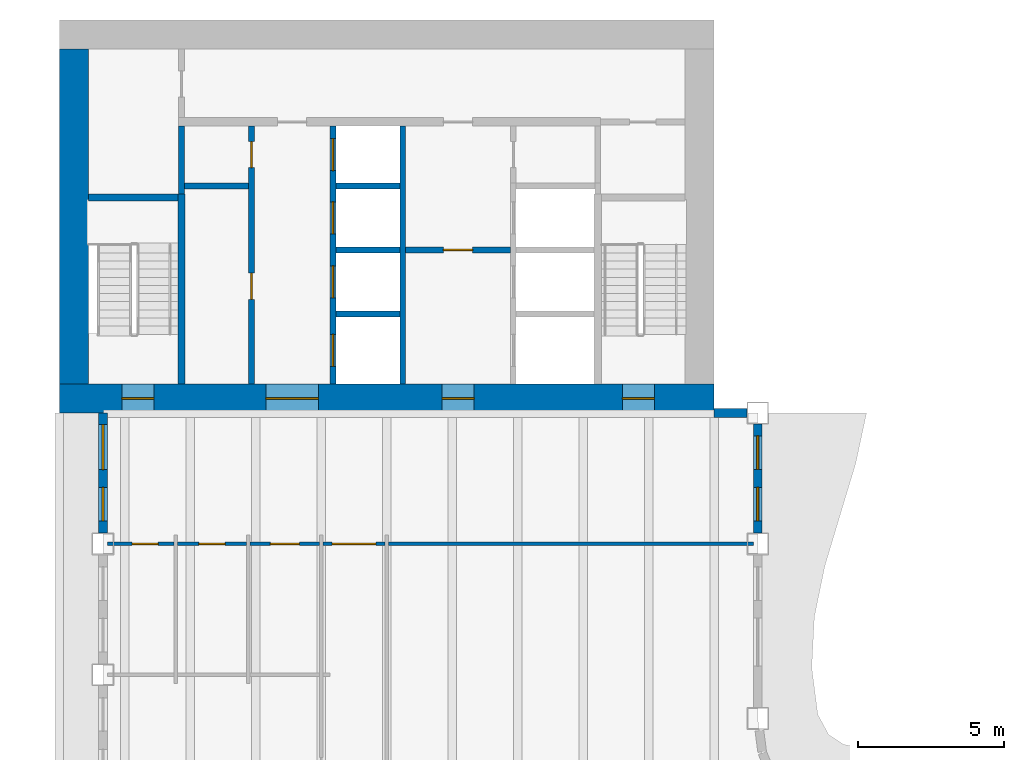
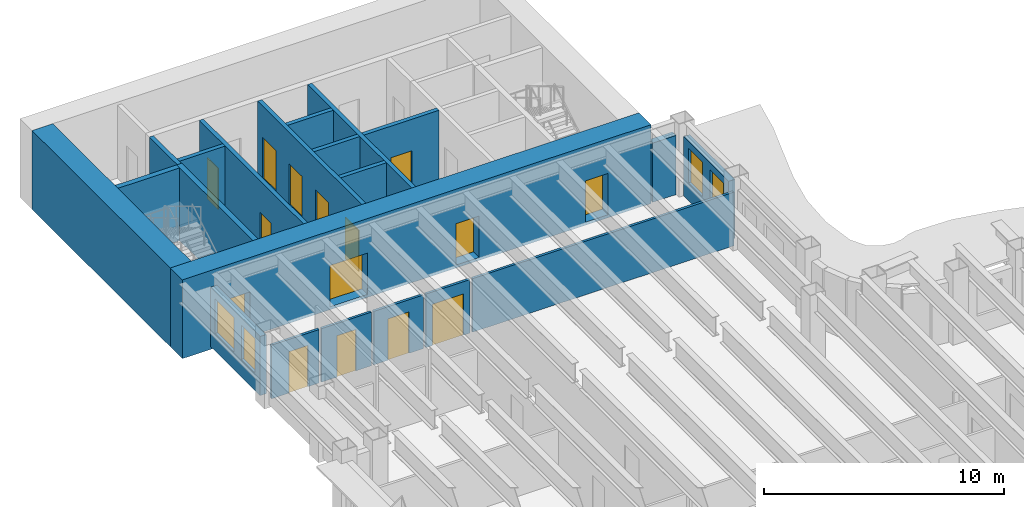
# One storey, part 8 of 16: 21 walls, 15 doors, 4 windows, 19 openings.
"""IFC4 building model written with IfcOpenShell, lengths in metres."""

from ifc_helpers import new_model, si_unit, direction, frame, frame_2d, origin, place, context, subcontext, project, spatial, rectangle, extrude, material, layer, layer_set, type_object, element, fill, save


model = new_model("IFC4")

# Units and contexts
model_context = context("Model", 3, precision=1e-05, world=origin(), true_north=direction((0.0, 1.0)))
body_context = subcontext(model_context, "Body", "Model", "MODEL_VIEW")
ifc_project = project(units=[si_unit("LENGTHUNIT", "METRE"), si_unit("AREAUNIT", "SQUARE_METRE"), si_unit("VOLUMEUNIT", "CUBIC_METRE"), si_unit("PLANEANGLEUNIT", "RADIAN"), si_unit("MASSUNIT", "GRAM", prefix="KILO")], contexts=[model_context])

# Site, building, storey
site_placement = place(None, origin())
site = spatial("IfcSite", under=ifc_project, at=site_placement, CompositionType="ELEMENT")
building_placement = place(site_placement, origin())
building = spatial("IfcBuilding", under=site, at=building_placement, Name="Sennacour Bend Tower", CompositionType="ELEMENT")
storey_placement = place(building_placement, frame((0.0, 0.0, 239.0)))
storey = spatial("IfcBuildingStorey", under=building, at=storey_placement, Name="L55", CompositionType="ELEMENT", Elevation=239.0)

# Wall, openings, doors
ifc_material_1 = material(Name="Concrete C60/75", Category="concrete")
ifc_layer_1 = layer(ifc_material_1, 1.0, Name="Concrete C60/75", Category="concrete")
ifc_layer_set_1 = layer_set([ifc_layer_1], Name="Concrete C60/75")
wall_type_1 = type_object("IfcWallType", Name="Core wall 1000 C60/75", PredefinedType="SHEAR", material=ifc_layer_set_1)
wall_1_placement = place(storey_placement, frame((0.0, 36.5, -0.14990234375), z_axis=(0.0, 0.0, 1.0), x_axis=(1.0, 0.0, 0.0)))
wall_1 = element("IfcWall", 1, at=wall_1_placement, inside=storey, type_object=wall_type_1, Name="Core B wall L55 S", PredefinedType="SHEAR", context=body_context, shape_type="SweptSolid", body=[
    extrude(rectangle(XDim=22.5, YDim=1.0, at=frame_2d((11.25, 0.0))), origin(), (0.0, 0.0, 1.0), 4.0),
])
opening_1_placement = place(wall_1_placement, frame((7.10009765625, 0.0, 0.14990234375)))
opening_1 = element("IfcOpeningElement", 2, at=opening_1_placement, cuts=wall_1, Name="Opening CD", PredefinedType="OPENING", context=body_context, shape_type="SweptSolid", body=[
    extrude(rectangle(XDim=1.800048828125, YDim=2.10009765625, at=frame_2d((0.89990234375, 1.050048828125))), frame((0.0, 0.510009765625, 0.0), z_axis=(0.0, -1.0, 0.0), x_axis=(1.0, 0.0, 0.0)), (0.0, 0.0, 1.0), 1.02001953125),
])
opening_2_placement = place(wall_1_placement, frame((13.14990234375, 0.0, 0.14990234375)))
opening_2 = element("IfcOpeningElement", 3, at=opening_2_placement, cuts=wall_1, Name="Opening FD", PredefinedType="OPENING", context=body_context, shape_type="SweptSolid", body=[
    extrude(rectangle(XDim=1.10009765625, YDim=2.10009765625, at=frame_2d((0.550048828125, 1.050048828125))), frame((0.0, 0.510009765625, 0.0), z_axis=(0.0, -1.0, 0.0), x_axis=(1.0, 0.0, 0.0)), (0.0, 0.0, 1.0), 1.02001953125),
])
opening_3_placement = place(wall_1_placement, frame((2.14990234375, 0.0, 0.14990234375)))
opening_3 = element("IfcOpeningElement", 4, at=opening_3_placement, cuts=wall_1, Name="Opening SD", PredefinedType="OPENING", context=body_context, shape_type="SweptSolid", body=[
    extrude(rectangle(XDim=1.10009765625, YDim=2.10009765625, at=frame_2d((0.550048828125, 1.050048828125))), frame((0.0, 0.510009765625, 0.0), z_axis=(0.0, -1.0, 0.0), x_axis=(1.0, 0.0, 0.0)), (0.0, 0.0, 1.0), 1.02001953125),
])
opening_4_placement = place(wall_1_placement, frame((19.35009765625, 0.0, 0.14990234375)))
opening_4 = element("IfcOpeningElement", 5, at=opening_4_placement, cuts=wall_1, Name="Opening SD", PredefinedType="OPENING", context=body_context, shape_type="SweptSolid", body=[
    extrude(rectangle(XDim=1.10009765625, YDim=2.10009765625, at=frame_2d((0.550048828125, 1.050048828125))), frame((0.0, 0.510009765625, 0.0), z_axis=(0.0, -1.0, 0.0), x_axis=(1.0, 0.0, 0.0)), (0.0, 0.0, 1.0), 1.02001953125),
])
ifc_material_2 = material(Name="Painted steel", Category="steel")
door_type_1 = type_object("IfcDoorType", Name="DR-FFL-1100", OperationType="NOTDEFINED", PredefinedType="DOOR", material=ifc_material_2)
door_1_placement = place(opening_2_placement, origin())
door_1 = element("IfcDoor", 6, at=door_1_placement, inside=storey, type_object=door_type_1, Name="Door", OperationType="SINGLE_SWING_RIGHT", OverallHeight=2.10009765625, OverallWidth=1.10009765625, PredefinedType="DOOR", context=body_context, shape_type="SweptSolid", body=[
    extrude(rectangle(XDim=1.10009765625, YDim=2.10009765625, at=frame_2d((0.550048828125, 1.050048828125))), frame((0.0, 0.02490234375, 0.0), z_axis=(0.0, -1.0, 0.0), x_axis=(1.0, 0.0, 0.0)), (0.0, 0.0, 1.0), 0.050048828125),
])
fill(opening_2, door_1)
door_type_2 = type_object("IfcDoorType", Name="DR-LOBBY-1800", OperationType="NOTDEFINED", PredefinedType="DOOR", material=ifc_material_2)
door_2_placement = place(opening_1_placement, origin())
door_2 = element("IfcDoor", 7, at=door_2_placement, inside=storey, type_object=door_type_2, Name="Door", OperationType="DOUBLE_DOOR_SINGLE_SWING", OverallHeight=2.10009765625, OverallWidth=1.800048828125, PredefinedType="DOOR", context=body_context, shape_type="SweptSolid", body=[
    extrude(rectangle(XDim=1.800048828125, YDim=2.10009765625, at=frame_2d((0.89990234375, 1.050048828125))), frame((0.0, 0.02490234375, 0.0), z_axis=(0.0, -1.0, 0.0), x_axis=(1.0, 0.0, 0.0)), (0.0, 0.0, 1.0), 0.050048828125),
])
fill(opening_1, door_2)
door_type_3 = type_object("IfcDoorType", Name="DR-STAIR-1100", OperationType="NOTDEFINED", PredefinedType="DOOR", material=ifc_material_2)
door_3_placement = place(opening_3_placement, origin())
door_3 = element("IfcDoor", 8, at=door_3_placement, inside=storey, type_object=door_type_3, Name="Door", OperationType="SINGLE_SWING_LEFT", OverallHeight=2.10009765625, OverallWidth=1.10009765625, PredefinedType="DOOR", context=body_context, shape_type="SweptSolid", body=[
    extrude(rectangle(XDim=1.10009765625, YDim=2.10009765625, at=frame_2d((0.550048828125, 1.050048828125))), frame((0.0, 0.02490234375, 0.0), z_axis=(0.0, -1.0, 0.0), x_axis=(1.0, 0.0, 0.0)), (0.0, 0.0, 1.0), 0.050048828125),
])
fill(opening_3, door_3)
door_4_placement = place(opening_4_placement, origin())
door_4 = element("IfcDoor", 9, at=door_4_placement, inside=storey, type_object=door_type_3, Name="Door", OperationType="SINGLE_SWING_RIGHT", OverallHeight=2.10009765625, OverallWidth=1.10009765625, PredefinedType="DOOR", context=body_context, shape_type="SweptSolid", body=[
    extrude(rectangle(XDim=1.10009765625, YDim=2.10009765625, at=frame_2d((0.550048828125, 1.050048828125))), frame((0.0, 0.02490234375, 0.0), z_axis=(0.0, -1.0, 0.0), x_axis=(1.0, 0.0, 0.0)), (0.0, 0.0, 1.0), 0.050048828125),
])
fill(opening_4, door_4)

# Wall
wall_2_placement = place(storey_placement, frame((0.5, 37.0, -0.14990234375), z_axis=(0.0, 0.0, 1.0), x_axis=(0.0, 1.0, 0.0)))
element("IfcWall", 10, at=wall_2_placement, inside=storey, type_object=wall_type_1, Name="Core B wall L55 W", PredefinedType="SHEAR", context=body_context, shape_type="SweptSolid", body=[
    extrude(rectangle(XDim=11.5, YDim=1.0, at=frame_2d((5.75, 0.0))), origin(), (0.0, 0.0, 1.0), 4.0),
])

# Wall, opening, door
ifc_material_3 = material(Name="Plasterboard partition on steel studs", Category="steel")
ifc_layer_2 = layer(ifc_material_3, 0.1201171875, Name="Plasterboard partition on steel studs", Category="steel")
ifc_layer_set_2 = layer_set([ifc_layer_2], Name="Plasterboard partition on steel studs")
wall_type_2 = type_object("IfcWallType", Name="Partition 120", PredefinedType="PARTITIONING", material=ifc_layer_set_2)
wall_3_placement = place(storey_placement, frame((1.64990234375, 31.5, 0.0), z_axis=(0.0, 0.0, 1.0), x_axis=(1.0, 0.0, 0.0)))
wall_3 = element("IfcWall", 11, at=wall_3_placement, inside=storey, type_object=wall_type_2, Name="P-L55-W076aa", PredefinedType="PARTITIONING", context=body_context, shape_type="SweptSolid", body=[
    extrude(rectangle(XDim=2.2900390625, YDim=0.1201171875, at=frame_2d((1.14501953125, 0.0))), origin(), (0.0, 0.0, 1.0), 2.719970703125),
])
opening_5_placement = place(wall_3_placement, frame((0.85009765625, 0.0, 0.0)))
opening_5 = element("IfcOpeningElement", 12, at=opening_5_placement, cuts=wall_3, Name="Opening WD", PredefinedType="OPENING", context=body_context, shape_type="SweptSolid", body=[
    extrude(rectangle(XDim=0.89990234375, YDim=2.10009765625, at=frame_2d((0.449951171875, 1.050048828125))), frame((0.0, 0.070068359375, 0.0), z_axis=(0.0, -1.0, 0.0), x_axis=(1.0, 0.0, 0.0)), (0.0, 0.0, 1.0), 0.14013671875),
])
ifc_material_4 = material(Name="Timber", Category="wood")
door_type_4 = type_object("IfcDoorType", Name="DR-WC-900", OperationType="NOTDEFINED", PredefinedType="DOOR", material=ifc_material_4)
door_5_placement = place(opening_5_placement, origin())
door_5 = element("IfcDoor", 13, at=door_5_placement, inside=storey, type_object=door_type_4, Name="Door", OperationType="SINGLE_SWING_RIGHT", OverallHeight=2.10009765625, OverallWidth=0.89990234375, PredefinedType="DOOR", context=body_context, shape_type="SweptSolid", body=[
    extrude(rectangle(XDim=0.89990234375, YDim=2.10009765625, at=frame_2d((0.449951171875, 1.050048828125))), frame((0.0, 0.02490234375, 0.0), z_axis=(0.0, -1.0, 0.0), x_axis=(1.0, 0.0, 0.0)), (0.0, 0.0, 1.0), 0.050048828125),
])
fill(opening_5, door_5)

wall_4_placement = place(storey_placement, frame((4.06005859375, 31.5, 0.0), z_axis=(0.0, 0.0, 1.0), x_axis=(1.0, 0.0, 0.0)))
wall_4 = element("IfcWall", 14, at=wall_4_placement, inside=storey, type_object=wall_type_2, Name="P-L55-W076ab", PredefinedType="PARTITIONING", context=body_context, shape_type="SweptSolid", body=[
    extrude(rectangle(XDim=2.3798828125, YDim=0.1201171875, at=frame_2d((1.18994140625, 0.0))), origin(), (0.0, 0.0, 1.0), 2.719970703125),
])
opening_6_placement = place(wall_4_placement, frame((0.739990234375, 0.0, 0.0)))
opening_6 = element("IfcOpeningElement", 15, at=opening_6_placement, cuts=wall_4, Name="Opening WD", PredefinedType="OPENING", context=body_context, shape_type="SweptSolid", body=[
    extrude(rectangle(XDim=0.89990234375, YDim=2.10009765625, at=frame_2d((0.449951171875, 1.050048828125))), frame((0.0, 0.070068359375, 0.0), z_axis=(0.0, -1.0, 0.0), x_axis=(1.0, 0.0, 0.0)), (0.0, 0.0, 1.0), 0.14013671875),
])
door_6_placement = place(opening_6_placement, origin())
door_6 = element("IfcDoor", 16, at=door_6_placement, inside=storey, type_object=door_type_4, Name="Door", OperationType="SINGLE_SWING_LEFT", OverallHeight=2.10009765625, OverallWidth=0.89990234375, PredefinedType="DOOR", context=body_context, shape_type="SweptSolid", body=[
    extrude(rectangle(XDim=0.89990234375, YDim=2.10009765625, at=frame_2d((0.449951171875, 1.050048828125))), frame((0.0, 0.02490234375, 0.0), z_axis=(0.0, -1.0, 0.0), x_axis=(1.0, 0.0, 0.0)), (0.0, 0.0, 1.0), 0.050048828125),
])
fill(opening_6, door_6)

wall_5_placement = place(storey_placement, frame((6.56005859375, 31.5, 0.0), z_axis=(0.0, 0.0, 1.0), x_axis=(1.0, 0.0, 0.0)))
wall_5 = element("IfcWall", 17, at=wall_5_placement, inside=storey, type_object=wall_type_2, Name="P-L55-W076ac", PredefinedType="PARTITIONING", context=body_context, shape_type="SweptSolid", body=[
    extrude(rectangle(XDim=2.3798828125, YDim=0.1201171875, at=frame_2d((1.18994140625, 0.0))), origin(), (0.0, 0.0, 1.0), 2.719970703125),
])
opening_7_placement = place(wall_5_placement, frame((0.68994140625, 0.0, 0.0)))
opening_7 = element("IfcOpeningElement", 18, at=opening_7_placement, cuts=wall_5, Name="Opening AD", PredefinedType="OPENING", context=body_context, shape_type="SweptSolid", body=[
    extrude(rectangle(XDim=1.0, YDim=2.10009765625, at=frame_2d((0.5, 1.050048828125))), frame((0.0, 0.070068359375, 0.0), z_axis=(0.0, -1.0, 0.0), x_axis=(1.0, 0.0, 0.0)), (0.0, 0.0, 1.0), 0.14013671875),
])
door_type_5 = type_object("IfcDoorType", Name="DR-ACC-WC-1000", OperationType="NOTDEFINED", PredefinedType="DOOR", material=ifc_material_4)
door_7_placement = place(opening_7_placement, origin())
door_7 = element("IfcDoor", 19, at=door_7_placement, inside=storey, type_object=door_type_5, Name="Door", OperationType="SINGLE_SWING_LEFT", OverallHeight=2.10009765625, OverallWidth=1.0, PredefinedType="DOOR", context=body_context, shape_type="SweptSolid", body=[
    extrude(rectangle(XDim=1.0, YDim=2.10009765625, at=frame_2d((0.5, 1.050048828125))), frame((0.0, 0.02490234375, 0.0), z_axis=(0.0, -1.0, 0.0), x_axis=(1.0, 0.0, 0.0)), (0.0, 0.0, 1.0), 0.050048828125),
])
fill(opening_7, door_7)

# Wall
wall_6_placement = place(storey_placement, frame((11.31005859375, 31.5, 0.0), z_axis=(0.0, 0.0, 1.0), x_axis=(1.0, 0.0, 0.0)))
element("IfcWall", 20, at=wall_6_placement, inside=storey, type_object=wall_type_2, Name="P-L55-W076ae", PredefinedType="PARTITIONING", context=body_context, shape_type="SweptSolid", body=[
    extrude(rectangle(XDim=12.5400390625, YDim=0.1201171875, at=frame_2d((6.27001953125, 0.0))), origin(), (0.0, 0.0, 1.0), 2.719970703125),
])

# Wall, opening, door
ifc_layer_3 = layer(ifc_material_3, 0.1201171875, Name="Plasterboard partition on steel studs", Category="steel")
ifc_layer_set_3 = layer_set([ifc_layer_3], Name="Plasterboard partition on steel studs")
wall_type_3 = type_object("IfcWallType", Name="Partition 120 EI 30", PredefinedType="PARTITIONING", material=ifc_layer_set_3)
wall_7_placement = place(storey_placement, frame((9.06005859375, 31.5, 0.0), z_axis=(0.0, 0.0, 1.0), x_axis=(1.0, 0.0, 0.0)))
wall_7 = element("IfcWall", 21, at=wall_7_placement, inside=storey, type_object=wall_type_3, Name="P-L55-W076ad", PredefinedType="PARTITIONING", context=body_context, shape_type="SweptSolid", body=[
    extrude(rectangle(XDim=2.1298828125, YDim=0.1201171875, at=frame_2d((1.06494140625, 0.0))), origin(), (0.0, 0.0, 1.0), 2.719970703125),
])
opening_8_placement = place(wall_7_placement, frame((0.31494140625, 0.0, 0.0)))
opening_8 = element("IfcOpeningElement", 22, at=opening_8_placement, cuts=wall_7, Name="Opening KD", PredefinedType="OPENING", context=body_context, shape_type="SweptSolid", body=[
    extrude(rectangle(XDim=1.5, YDim=2.10009765625, at=frame_2d((0.75, 1.050048828125))), frame((0.0, 0.070068359375, 0.0), z_axis=(0.0, -1.0, 0.0), x_axis=(1.0, 0.0, 0.0)), (0.0, 0.0, 1.0), 0.14013671875),
])
door_type_6 = type_object("IfcDoorType", Name="DR-CORRIDOR-1500", OperationType="NOTDEFINED", PredefinedType="DOOR", material=ifc_material_2)
door_8_placement = place(opening_8_placement, origin())
door_8 = element("IfcDoor", 23, at=door_8_placement, inside=storey, type_object=door_type_6, Name="Door", OperationType="SINGLE_SWING_LEFT", OverallHeight=2.10009765625, OverallWidth=1.5, PredefinedType="DOOR", context=body_context, shape_type="SweptSolid", body=[
    extrude(rectangle(XDim=1.5, YDim=2.10009765625, at=frame_2d((0.75, 1.050048828125))), frame((0.0, 0.02490234375, 0.0), z_axis=(0.0, -1.0, 0.0), x_axis=(1.0, 0.0, 0.0)), (0.0, 0.0, 1.0), 0.050048828125),
])
fill(opening_8, door_8)

# Wall
ifc_material_5 = material(Name="Fire-rated plasterboard partition on steel studs", Category="steel")
ifc_layer_4 = layer(ifc_material_5, 0.199951171875, Name="Fire-rated plasterboard partition on steel studs", Category="steel")
ifc_layer_set_4 = layer_set([ifc_layer_4], Name="Fire-rated plasterboard partition on steel studs")
wall_type_4 = type_object("IfcWallType", Name="Rated partition 200", PredefinedType="PARTITIONING", material=ifc_layer_set_4)
wall_8_placement = place(storey_placement, frame((4.199951171875, 43.52490234375, 0.0), z_axis=(0.0, 0.0, 1.0), x_axis=(0.0, 1.0, 0.0)))
element("IfcWall", 24, at=wall_8_placement, inside=storey, type_object=wall_type_4, Name="P-L55-W006a", PredefinedType="PARTITIONING", context=body_context, shape_type="SweptSolid", body=[
    extrude(rectangle(XDim=2.3251953125, YDim=0.199951171875, at=frame_2d((1.16259765625, 0.0))), origin(), (0.0, 0.0, 1.0), 3.699951171875),
])

# Wall, openings, doors
wall_9_placement = place(storey_placement, frame((6.60009765625, 37.0, 0.0), z_axis=(0.0, 0.0, 1.0), x_axis=(0.0, 1.0, 0.0)))
wall_9 = element("IfcWall", 25, at=wall_9_placement, inside=storey, type_object=wall_type_4, Name="P-L55-W008", PredefinedType="PARTITIONING", context=body_context, shape_type="SweptSolid", body=[
    extrude(rectangle(XDim=8.85009765625, YDim=0.199951171875, at=frame_2d((4.425048828125, 0.0))), origin(), (0.0, 0.0, 1.0), 3.699951171875),
])
opening_9_placement = place(wall_9_placement, frame((2.89990234375, 0.0, 0.0)))
opening_9 = element("IfcOpeningElement", 26, at=opening_9_placement, cuts=wall_9, Name="Opening SV", PredefinedType="OPENING", context=body_context, shape_type="SweptSolid", body=[
    extrude(rectangle(XDim=0.89990234375, YDim=2.10009765625, at=frame_2d((0.449951171875, 1.050048828125))), frame((0.0, 0.10986328125, 0.0), z_axis=(0.0, -1.0, 0.0), x_axis=(1.0, 0.0, 0.0)), (0.0, 0.0, 1.0), 0.219970703125),
])
opening_10_placement = place(wall_9_placement, frame((7.425048828125, 0.0, 0.0)))
opening_10 = element("IfcOpeningElement", 27, at=opening_10_placement, cuts=wall_9, Name="Opening SV", PredefinedType="OPENING", context=body_context, shape_type="SweptSolid", body=[
    extrude(rectangle(XDim=0.89990234375, YDim=2.10009765625, at=frame_2d((0.449951171875, 1.050048828125))), frame((0.0, 0.10986328125, 0.0), z_axis=(0.0, -1.0, 0.0), x_axis=(1.0, 0.0, 0.0)), (0.0, 0.0, 1.0), 0.219970703125),
])
door_type_7 = type_object("IfcDoorType", Name="DR-SERVICE-900", OperationType="NOTDEFINED", PredefinedType="DOOR", material=ifc_material_2)
door_9_placement = place(opening_9_placement, origin())
door_9 = element("IfcDoor", 28, at=door_9_placement, inside=storey, type_object=door_type_7, Name="Door", OperationType="SINGLE_SWING_LEFT", OverallHeight=2.10009765625, OverallWidth=0.89990234375, PredefinedType="DOOR", context=body_context, shape_type="SweptSolid", body=[
    extrude(rectangle(XDim=0.89990234375, YDim=2.10009765625, at=frame_2d((0.449951171875, 1.050048828125))), frame((0.0, 0.02490234375, 0.0), z_axis=(0.0, -1.0, 0.0), x_axis=(1.0, 0.0, 0.0)), (0.0, 0.0, 1.0), 0.050048828125),
])
fill(opening_9, door_9)
door_10_placement = place(opening_10_placement, origin())
door_10 = element("IfcDoor", 29, at=door_10_placement, inside=storey, type_object=door_type_7, Name="Door", OperationType="SINGLE_SWING_RIGHT", OverallHeight=2.10009765625, OverallWidth=0.89990234375, PredefinedType="DOOR", context=body_context, shape_type="SweptSolid", body=[
    extrude(rectangle(XDim=0.89990234375, YDim=2.10009765625, at=frame_2d((0.449951171875, 1.050048828125))), frame((0.0, 0.02490234375, 0.0), z_axis=(0.0, -1.0, 0.0), x_axis=(1.0, 0.0, 0.0)), (0.0, 0.0, 1.0), 0.050048828125),
])
fill(opening_10, door_10)

# Wall
wall_10_placement = place(storey_placement, frame((4.300048828125, 43.800048828125, 0.0), z_axis=(0.0, 0.0, 1.0), x_axis=(1.0, 0.0, 0.0)))
element("IfcWall", 30, at=wall_10_placement, inside=storey, type_object=wall_type_4, Name="P-L55-W085", PredefinedType="PARTITIONING", context=body_context, shape_type="SweptSolid", body=[
    extrude(rectangle(XDim=2.199951171875, YDim=0.199951171875, at=frame_2d((1.10009765625, 0.0))), origin(), (0.0, 0.0, 1.0), 3.699951171875),
])

# Wall, opening, door
ifc_layer_5 = layer(ifc_material_5, 0.199951171875, Name="Fire-rated plasterboard partition on steel studs", Category="steel")
ifc_layer_set_5 = layer_set([ifc_layer_5], Name="Fire-rated plasterboard partition on steel studs")
wall_type_5 = type_object("IfcWallType", Name="Rated partition 200 EI 90", PredefinedType="PARTITIONING", material=ifc_layer_set_5)
wall_11_placement = place(storey_placement, frame((11.89990234375, 41.60009765625, 0.0), z_axis=(0.0, 0.0, 1.0), x_axis=(1.0, 0.0, 0.0)))
wall_11 = element("IfcWall", 31, at=wall_11_placement, inside=storey, type_object=wall_type_5, Name="P-L55-W081", PredefinedType="PARTITIONING", context=body_context, shape_type="SweptSolid", body=[
    extrude(rectangle(XDim=3.60009765625, YDim=0.199951171875, at=frame_2d((1.800048828125, 0.0))), origin(), (0.0, 0.0, 1.0), 3.699951171875),
])
opening_11_placement = place(wall_11_placement, frame((1.300048828125, 0.0, 0.0)))
opening_11 = element("IfcOpeningElement", 32, at=opening_11_placement, cuts=wall_11, Name="Opening FD2", PredefinedType="OPENING", context=body_context, shape_type="SweptSolid", body=[
    extrude(rectangle(XDim=1.0, YDim=2.10009765625, at=frame_2d((0.5, 1.050048828125))), frame((0.0, 0.10986328125, 0.0), z_axis=(0.0, -1.0, 0.0), x_axis=(1.0, 0.0, 0.0)), (0.0, 0.0, 1.0), 0.219970703125),
])
door_type_8 = type_object("IfcDoorType", Name="DR-FFL-1000", OperationType="NOTDEFINED", PredefinedType="DOOR", material=ifc_material_2)
door_11_placement = place(opening_11_placement, origin())
door_11 = element("IfcDoor", 33, at=door_11_placement, inside=storey, type_object=door_type_8, Name="Door", OperationType="SINGLE_SWING_RIGHT", OverallHeight=2.10009765625, OverallWidth=1.0, PredefinedType="DOOR", context=body_context, shape_type="SweptSolid", body=[
    extrude(rectangle(XDim=1.0, YDim=2.10009765625, at=frame_2d((0.5, 1.050048828125))), frame((0.0, 0.02490234375, 0.0), z_axis=(0.0, -1.0, 0.0), x_axis=(1.0, 0.0, 0.0)), (0.0, 0.0, 1.0), 0.050048828125),
])
fill(opening_11, door_11)

# Wall, openings, windows
ifc_material_6 = material(Name="Warm limestone cladding", Category="masonry")
ifc_layer_6 = layer(ifc_material_6, 0.050048828125, Name="Warm limestone cladding", Category="masonry")
ifc_material_7 = material(Name="Precast concrete C40/50", Category="concrete")
ifc_layer_7 = layer(ifc_material_7, 0.25, Name="Precast concrete C40/50", Category="concrete")
ifc_layer_set_6 = layer_set([ifc_layer_6, ifc_layer_7], Name="Precast concrete C40/50 with limestone cladding")
wall_type_6 = type_object("IfcWallType", Name="STONE-CLAD PRECAST SPANDREL 300", PredefinedType="STANDARD", material=ifc_layer_set_6)
wall_12_placement = place(storey_placement, frame((24.0, 31.875, 0.0), z_axis=(0.0, 0.0, 1.0), x_axis=(0.0, 1.0, 0.0)))
wall_12 = element("IfcWall", 34, at=wall_12_placement, inside=storey, type_object=wall_type_6, Name="Stone spandrel and pier wall L55 13.01", PredefinedType="STANDARD", context=body_context, shape_type="SweptSolid", body=[
    extrude(rectangle(XDim=3.75, YDim=0.300048828125, at=frame_2d((1.875, 0.0))), origin(), (0.0, 0.0, 1.0), 3.007080078125),
])
opening_12_placement = place(wall_12_placement, frame((0.41259765625, 0.0, 0.89990234375)))
opening_12 = element("IfcOpeningElement", 35, at=opening_12_placement, cuts=wall_12, Name="Opening W23", PredefinedType="OPENING", context=body_context, shape_type="SweptSolid", body=[
    extrude(rectangle(XDim=1.14990234375, YDim=1.75, at=frame_2d((0.574951171875, 0.875))), frame((0.0, 0.16015625, 0.0), z_axis=(0.0, -1.0, 0.0), x_axis=(1.0, 0.0, 0.0)), (0.0, 0.0, 1.0), 0.320068359375),
])
opening_13_placement = place(wall_12_placement, frame((2.1875, 0.0, 0.89990234375)))
opening_13 = element("IfcOpeningElement", 36, at=opening_13_placement, cuts=wall_12, Name="Opening W23", PredefinedType="OPENING", context=body_context, shape_type="SweptSolid", body=[
    extrude(rectangle(XDim=1.14990234375, YDim=1.75, at=frame_2d((0.574951171875, 0.875))), frame((0.0, 0.16015625, 0.0), z_axis=(0.0, -1.0, 0.0), x_axis=(1.0, 0.0, 0.0)), (0.0, 0.0, 1.0), 0.320068359375),
])
ifc_material_8 = material(Name="Clear low-emissivity glass", Category="glass")
window_type_1 = type_object("IfcWindowType", Name="WIN-RIBBON-1150x1750", PartitioningType="SINGLE_PANEL", PredefinedType="WINDOW", material=ifc_material_8)
window_1_placement = place(opening_12_placement, origin())
window_1 = element("IfcWindow", 37, at=window_1_placement, inside=storey, type_object=window_type_1, Name="Ribbon window L55 13.01.0", OverallHeight=1.75, OverallWidth=1.14990234375, PartitioningType="SINGLE_PANEL", PredefinedType="WINDOW", context=body_context, shape_type="SweptSolid", body=[
    extrude(rectangle(XDim=1.14990234375, YDim=1.75, at=frame_2d((0.574951171875, 0.875))), frame((0.0, 0.030029296875, 0.0), z_axis=(0.0, -1.0, 0.0), x_axis=(1.0, 0.0, 0.0)), (0.0, 0.0, 1.0), 0.06005859375),
])
fill(opening_12, window_1)
window_2_placement = place(opening_13_placement, origin())
window_2 = element("IfcWindow", 38, at=window_2_placement, inside=storey, type_object=window_type_1, Name="Ribbon window L55 13.01.1", OverallHeight=1.75, OverallWidth=1.14990234375, PartitioningType="SINGLE_PANEL", PredefinedType="WINDOW", context=body_context, shape_type="SweptSolid", body=[
    extrude(rectangle(XDim=1.14990234375, YDim=1.75, at=frame_2d((0.574951171875, 0.875))), frame((0.0, 0.030029296875, 0.0), z_axis=(0.0, -1.0, 0.0), x_axis=(1.0, 0.0, 0.0)), (0.0, 0.0, 1.0), 0.06005859375),
])
fill(opening_13, window_2)

# Wall
wall_13_placement = place(storey_placement, frame((23.625, 36.0, 0.0), z_axis=(0.0, 0.0, 1.0), x_axis=(-1.0, 0.0, 0.0)))
element("IfcWall", 39, at=wall_13_placement, inside=storey, type_object=wall_type_6, Name="Stone spandrel and pier wall L55 14.00", PredefinedType="STANDARD", context=body_context, shape_type="SweptSolid", body=[
    extrude(rectangle(XDim=1.125, YDim=0.300048828125, at=frame_2d((0.5625, 0.0))), origin(), (0.0, 0.0, 1.0), 3.007080078125),
])

# Wall, openings, windows
wall_14_placement = place(storey_placement, frame((1.5, 36.0, 0.0), z_axis=(0.0, 0.0, 1.0), x_axis=(0.0, -1.0, 0.0)))
wall_14 = element("IfcWall", 40, at=wall_14_placement, inside=storey, type_object=wall_type_6, Name="Stone spandrel and pier wall L55 19.00", PredefinedType="STANDARD", context=body_context, shape_type="SweptSolid", body=[
    extrude(rectangle(XDim=4.125, YDim=0.300048828125, at=frame_2d((2.0625, 0.0))), origin(), (0.0, 0.0, 1.0), 3.007080078125),
])
opening_14_placement = place(wall_14_placement, frame((0.39990234375, 0.0, 0.89990234375)))
opening_14 = element("IfcOpeningElement", 41, at=opening_14_placement, cuts=wall_14, Name="Opening W12", PredefinedType="OPENING", context=body_context, shape_type="SweptSolid", body=[
    extrude(rectangle(XDim=1.550048828125, YDim=1.75, at=frame_2d((0.77490234375, 0.875))), frame((0.0, 0.16015625, 0.0), z_axis=(0.0, -1.0, 0.0), x_axis=(1.0, 0.0, 0.0)), (0.0, 0.0, 1.0), 0.320068359375),
])
opening_15_placement = place(wall_14_placement, frame((2.5625, 0.0, 0.89990234375)))
opening_15 = element("IfcOpeningElement", 42, at=opening_15_placement, cuts=wall_14, Name="Opening W23", PredefinedType="OPENING", context=body_context, shape_type="SweptSolid", body=[
    extrude(rectangle(XDim=1.14990234375, YDim=1.75, at=frame_2d((0.574951171875, 0.875))), frame((0.0, 0.16015625, 0.0), z_axis=(0.0, -1.0, 0.0), x_axis=(1.0, 0.0, 0.0)), (0.0, 0.0, 1.0), 0.320068359375),
])
window_3_placement = place(opening_15_placement, origin())
window_3 = element("IfcWindow", 43, at=window_3_placement, inside=storey, type_object=window_type_1, Name="Ribbon window L55 19.00.1", OverallHeight=1.75, OverallWidth=1.14990234375, PartitioningType="SINGLE_PANEL", PredefinedType="WINDOW", context=body_context, shape_type="SweptSolid", body=[
    extrude(rectangle(XDim=1.14990234375, YDim=1.75, at=frame_2d((0.574951171875, 0.875))), frame((0.0, 0.030029296875, 0.0), z_axis=(0.0, -1.0, 0.0), x_axis=(1.0, 0.0, 0.0)), (0.0, 0.0, 1.0), 0.06005859375),
])
fill(opening_15, window_3)
window_type_2 = type_object("IfcWindowType", Name="WIN-RIBBON-1550x1750", PartitioningType="SINGLE_PANEL", PredefinedType="WINDOW", material=ifc_material_8)
window_4_placement = place(opening_14_placement, origin())
window_4 = element("IfcWindow", 44, at=window_4_placement, inside=storey, type_object=window_type_2, Name="Ribbon window L55 19.00.0", OverallHeight=1.75, OverallWidth=1.550048828125, PartitioningType="SINGLE_PANEL", PredefinedType="WINDOW", context=body_context, shape_type="SweptSolid", body=[
    extrude(rectangle(XDim=1.550048828125, YDim=1.75, at=frame_2d((0.77490234375, 0.875))), frame((0.0, 0.030029296875, 0.0), z_axis=(0.0, -1.0, 0.0), x_axis=(1.0, 0.0, 0.0)), (0.0, 0.0, 1.0), 0.06005859375),
])
fill(opening_14, window_4)

# Wall, openings, doors
ifc_material_9 = material(Name="Concrete C50/60", Category="concrete")
ifc_layer_8 = layer(ifc_material_9, 0.199951171875, Name="Concrete C50/60", Category="concrete")
ifc_layer_set_7 = layer_set([ifc_layer_8], Name="Concrete C50/60")
wall_type_7 = type_object("IfcWallType", Name="Shaft wall 200", PredefinedType="SOLIDWALL", material=ifc_layer_set_7)
wall_15_placement = place(storey_placement, frame((9.39990234375, 37.0, 0.0), z_axis=(0.0, 0.0, 1.0), x_axis=(0.0, 1.0, 0.0)))
wall_15 = element("IfcWall", 45, at=wall_15_placement, inside=storey, type_object=wall_type_7, Name="P-L55-W011", PredefinedType="SOLIDWALL", context=body_context, shape_type="SweptSolid", body=[
    extrude(rectangle(XDim=8.85009765625, YDim=0.199951171875, at=frame_2d((4.425048828125, 0.0))), origin(), (0.0, 0.0, 1.0), 3.699951171875),
])
opening_16_placement = place(wall_15_placement, frame((0.60009765625, 0.0, 0.011962890625)))
opening_16 = element("IfcOpeningElement", 46, at=opening_16_placement, cuts=wall_15, Name="Opening LD", PredefinedType="OPENING", context=body_context, shape_type="SweptSolid", body=[
    extrude(rectangle(XDim=1.10009765625, YDim=2.10009765625, at=frame_2d((0.550048828125, 1.050048828125))), frame((0.0, 0.10986328125, 0.0), z_axis=(0.0, -1.0, 0.0), x_axis=(1.0, 0.0, 0.0)), (0.0, 0.0, 1.0), 0.219970703125),
])
opening_17_placement = place(wall_15_placement, frame((2.949951171875, 0.0, 0.011962890625)))
opening_17 = element("IfcOpeningElement", 47, at=opening_17_placement, cuts=wall_15, Name="Opening LD", PredefinedType="OPENING", context=body_context, shape_type="SweptSolid", body=[
    extrude(rectangle(XDim=1.10009765625, YDim=2.10009765625, at=frame_2d((0.550048828125, 1.050048828125))), frame((0.0, 0.10986328125, 0.0), z_axis=(0.0, -1.0, 0.0), x_axis=(1.0, 0.0, 0.0)), (0.0, 0.0, 1.0), 0.219970703125),
])
opening_18_placement = place(wall_15_placement, frame((5.14990234375, 0.0, 0.011962890625)))
opening_18 = element("IfcOpeningElement", 48, at=opening_18_placement, cuts=wall_15, Name="Opening LD", PredefinedType="OPENING", context=body_context, shape_type="SweptSolid", body=[
    extrude(rectangle(XDim=1.10009765625, YDim=2.10009765625, at=frame_2d((0.550048828125, 1.050048828125))), frame((0.0, 0.10986328125, 0.0), z_axis=(0.0, -1.0, 0.0), x_axis=(1.0, 0.0, 0.0)), (0.0, 0.0, 1.0), 0.219970703125),
])
opening_19_placement = place(wall_15_placement, frame((7.324951171875, 0.0, 0.011962890625)))
opening_19 = element("IfcOpeningElement", 49, at=opening_19_placement, cuts=wall_15, Name="Opening LD", PredefinedType="OPENING", context=body_context, shape_type="SweptSolid", body=[
    extrude(rectangle(XDim=1.10009765625, YDim=2.10009765625, at=frame_2d((0.550048828125, 1.050048828125))), frame((0.0, 0.10986328125, 0.0), z_axis=(0.0, -1.0, 0.0), x_axis=(1.0, 0.0, 0.0)), (0.0, 0.0, 1.0), 0.219970703125),
])
ifc_material_10 = material(Name="Stainless steel", Category="steel")
door_type_9 = type_object("IfcDoorType", Name="DR-LANDING-1100", OperationType="NOTDEFINED", PredefinedType="DOOR", material=ifc_material_10)
door_12_placement = place(opening_16_placement, origin())
door_12 = element("IfcDoor", 50, at=door_12_placement, inside=storey, type_object=door_type_9, Name="Lift landing door MB1", OperationType="SLIDING_TO_RIGHT", OverallHeight=2.10009765625, OverallWidth=1.10009765625, PredefinedType="DOOR", context=body_context, shape_type="SweptSolid", body=[
    extrude(rectangle(XDim=1.10009765625, YDim=2.10009765625, at=frame_2d((0.550048828125, 1.050048828125))), frame((0.0, 0.02490234375, 0.0), z_axis=(0.0, -1.0, 0.0), x_axis=(1.0, 0.0, 0.0)), (0.0, 0.0, 1.0), 0.050048828125),
])
fill(opening_16, door_12)
door_13_placement = place(opening_17_placement, origin())
door_13 = element("IfcDoor", 51, at=door_13_placement, inside=storey, type_object=door_type_9, Name="Lift landing door MB2", OperationType="SLIDING_TO_LEFT", OverallHeight=2.10009765625, OverallWidth=1.10009765625, PredefinedType="DOOR", context=body_context, shape_type="SweptSolid", body=[
    extrude(rectangle(XDim=1.10009765625, YDim=2.10009765625, at=frame_2d((0.550048828125, 1.050048828125))), frame((0.0, 0.02490234375, 0.0), z_axis=(0.0, -1.0, 0.0), x_axis=(1.0, 0.0, 0.0)), (0.0, 0.0, 1.0), 0.050048828125),
])
fill(opening_17, door_13)
door_14_placement = place(opening_18_placement, origin())
door_14 = element("IfcDoor", 52, at=door_14_placement, inside=storey, type_object=door_type_9, Name="Lift landing door MB3", OperationType="SLIDING_TO_RIGHT", OverallHeight=2.10009765625, OverallWidth=1.10009765625, PredefinedType="DOOR", context=body_context, shape_type="SweptSolid", body=[
    extrude(rectangle(XDim=1.10009765625, YDim=2.10009765625, at=frame_2d((0.550048828125, 1.050048828125))), frame((0.0, 0.02490234375, 0.0), z_axis=(0.0, -1.0, 0.0), x_axis=(1.0, 0.0, 0.0)), (0.0, 0.0, 1.0), 0.050048828125),
])
fill(opening_18, door_14)
door_15_placement = place(opening_19_placement, origin())
door_15 = element("IfcDoor", 53, at=door_15_placement, inside=storey, type_object=door_type_9, Name="Lift landing door MB4", OperationType="SLIDING_TO_LEFT", OverallHeight=2.10009765625, OverallWidth=1.10009765625, PredefinedType="DOOR", context=body_context, shape_type="SweptSolid", body=[
    extrude(rectangle(XDim=1.10009765625, YDim=2.10009765625, at=frame_2d((0.550048828125, 1.050048828125))), frame((0.0, 0.02490234375, 0.0), z_axis=(0.0, -1.0, 0.0), x_axis=(1.0, 0.0, 0.0)), (0.0, 0.0, 1.0), 0.050048828125),
])
fill(opening_19, door_15)

# Walls
wall_16_placement = place(storey_placement, frame((11.800048828125, 37.0, 0.0), z_axis=(0.0, 0.0, 1.0), x_axis=(0.0, 1.0, 0.0)))
element("IfcWall", 54, at=wall_16_placement, inside=storey, type_object=wall_type_7, Name="P-L55-W014", PredefinedType="SOLIDWALL", context=body_context, shape_type="SweptSolid", body=[
    extrude(rectangle(XDim=8.85009765625, YDim=0.199951171875, at=frame_2d((4.425048828125, 0.0))), origin(), (0.0, 0.0, 1.0), 3.699951171875),
])
for number, where, z_axis, x_axis, name in (
    (55, (9.5, 39.39990234375, 0.0), (0.0, 0.0, 1.0), (1.0, 0.0, 0.0), "P-L55-W078"),
    (56, (9.5, 41.60009765625, 0.0), (0.0, 0.0, 1.0), (1.0, 0.0, 0.0), "P-L55-W080"),
    (57, (9.5, 43.800048828125, 0.0), (0.0, 0.0, 1.0), (1.0, 0.0, 0.0), "P-L55-W086"),
):
    element("IfcWall", number, at=place(storey_placement, frame(where, z_axis=z_axis, x_axis=x_axis)), inside=storey, type_object=wall_type_7, Name=name, PredefinedType="SOLIDWALL", context=body_context, shape_type="SweptSolid", body=[
        extrude(rectangle(XDim=2.199951171875, YDim=0.199951171875, at=frame_2d((1.10009765625, 0.0))), origin(), (0.0, 0.0, 1.0), 3.699951171875),
    ])
ifc_layer_9 = layer(ifc_material_1, 0.25, Name="Concrete C60/75", Category="concrete")
ifc_layer_set_8 = layer_set([ifc_layer_9], Name="Concrete C60/75")
wall_type_8 = type_object("IfcWallType", Name="Stair wall 250", PredefinedType="SHEAR", material=ifc_layer_set_8)
wall_17_placement = place(storey_placement, frame((4.199951171875, 37.0, 0.0), z_axis=(0.0, 0.0, 1.0), x_axis=(0.0, 1.0, 0.0)))
element("IfcWall", 58, at=wall_17_placement, inside=storey, type_object=wall_type_8, Name="P-L55-W005", PredefinedType="SHEAR", context=body_context, shape_type="SweptSolid", body=[
    extrude(rectangle(XDim=6.52490234375, YDim=0.25, at=frame_2d((3.262451171875, 0.0))), origin(), (0.0, 0.0, 1.0), 3.699951171875),
])
wall_18_placement = place(storey_placement, frame((1.0, 43.39990234375, 0.0), z_axis=(0.0, 0.0, 1.0), x_axis=(1.0, 0.0, 0.0)))
element("IfcWall", 59, at=wall_18_placement, inside=storey, type_object=wall_type_8, Name="P-L55-W083", PredefinedType="SHEAR", context=body_context, shape_type="SweptSolid", body=[
    extrude(rectangle(XDim=3.074951171875, YDim=0.25, at=frame_2d((1.53759765625, 0.0))), origin(), (0.0, 0.0, 1.0), 3.699951171875),
])

save(model, "model.ifc")
